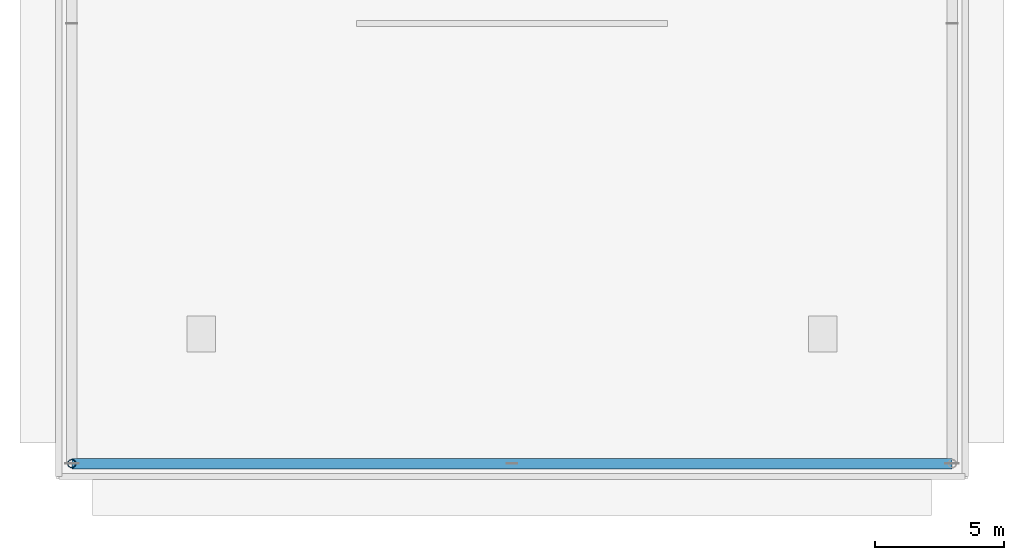
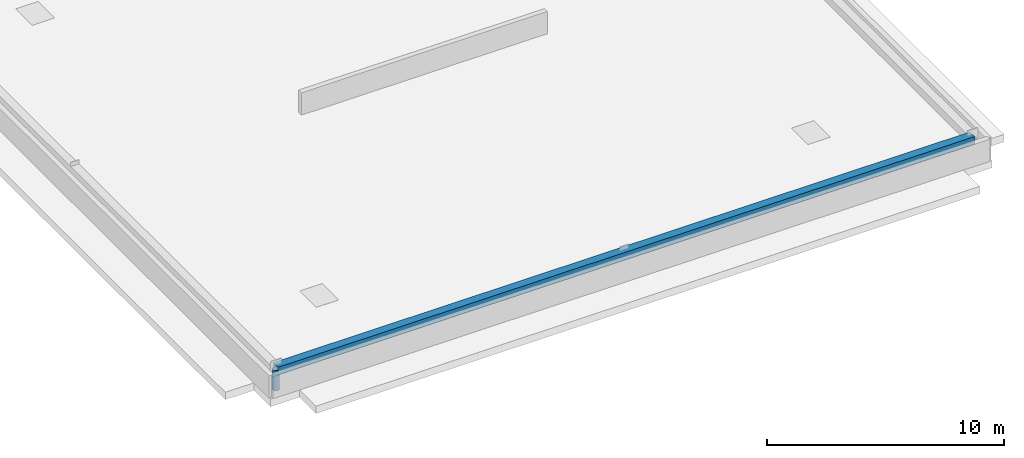
# One storey, part 1 of 9: 2 members.
"""IFC4 building model written with IfcOpenShell, lengths in metres."""

from ifc_helpers import new_model, si_unit, direction, frame, origin, origin_2d, place, context, subcontext, project, spatial, hollow_rectangle, hollow_circle, extrude, source, transform, mapped, material, material_profile, profile_set, type_object, element, save


model = new_model("IFC4")

# Units and contexts
model_context = context("Model", 3, precision=1e-05, world=origin(), true_north=direction((0.0, 1.0)))
body_context = subcontext(model_context, "Body", "Model", "MODEL_VIEW")
ifc_project = project(units=[si_unit("LENGTHUNIT", "METRE"), si_unit("AREAUNIT", "SQUARE_METRE"), si_unit("VOLUMEUNIT", "CUBIC_METRE"), si_unit("PLANEANGLEUNIT", "RADIAN"), si_unit("MASSUNIT", "GRAM", prefix="KILO")], contexts=[model_context])

# Site, building, storey
site_placement = place(None, origin())
site = spatial("IfcSite", under=ifc_project, at=site_placement, CompositionType="ELEMENT")
building_placement = place(site_placement, origin())
building = spatial("IfcBuilding", under=site, at=building_placement, Name="Nahalor Promenade Grand Hotel", CompositionType="ELEMENT")
storey_placement = place(building_placement, frame((0.0, 0.0, 375.449951171875)))
storey = spatial("IfcBuildingStorey", under=building, at=storey_placement, Name="RF", CompositionType="ELEMENT", Elevation=375.449951171875)

# Members
ifc_material = material(Name="Steel S355JR", Category="steel")
ifc_material_profile_1 = material_profile(ifc_material, hollow_rectangle(XDim=0.4, YDim=0.4, WallThickness=0.022, at=origin_2d()), Name="SHS 400x400x22")
ifc_profile_set_1 = profile_set([ifc_material_profile_1], Name="Steel S355JR")
member_type_1 = type_object("IfcMemberType", Name="Mem-ExoBrace-SHS400", PredefinedType="BRACE", material=ifc_profile_set_1)
shared_shape_1 = source(origin(), body_context, "Body", "SweptSolid", [
    extrude(hollow_rectangle(XDim=0.4, YDim=0.4, WallThickness=0.022, at=origin_2d()), origin(), (0.0, 0.0, 1.0), 34.0),
])
member_1_placement = place(storey_placement, frame((-17.0, -17.0, 1.0), z_axis=(1.0, 0.0, 0.0), x_axis=(0.0, 1.0, 0.0)))
element("IfcMember", 1, at=member_1_placement, inside=storey, type_object=member_type_1, Name="RF-CORNICE-0", PredefinedType="BRACE", context=body_context, shape_type="MappedRepresentation", body=[
    mapped(shared_shape_1, transform((0.0, 0.0, 0.0), scale=1.0)),
])
ifc_material_profile_2 = material_profile(ifc_material, hollow_circle(Radius=0.16195, WallThickness=0.016, at=origin_2d()), Name="CHS 323.9x16")
ifc_profile_set_2 = profile_set([ifc_material_profile_2], Name="Steel S355JR")
member_type_2 = type_object("IfcMemberType", Name="Mem-CornicePost-CHS324", PredefinedType="STRUT", material=ifc_profile_set_2)
shared_shape_2 = source(origin(), body_context, "Body", "SweptSolid", [
    extrude(hollow_circle(Radius=0.16195, WallThickness=0.016, at=origin_2d()), origin(), (0.0, 0.0, 1.0), 1.044921875),
])
member_2_placement = place(storey_placement, frame((-17.0, -17.0, -0.044921875), z_axis=(0.0, 0.0, 1.0), x_axis=(1.0, 0.0, 0.0)))
element("IfcMember", 2, at=member_2_placement, inside=storey, type_object=member_type_2, Name="RF-CPOST-0", PredefinedType="STRUT", context=body_context, shape_type="MappedRepresentation", body=[
    mapped(shared_shape_2, transform((0.0, 0.0, 0.0), scale=1.0)),
])

save(model, "model.ifc")
